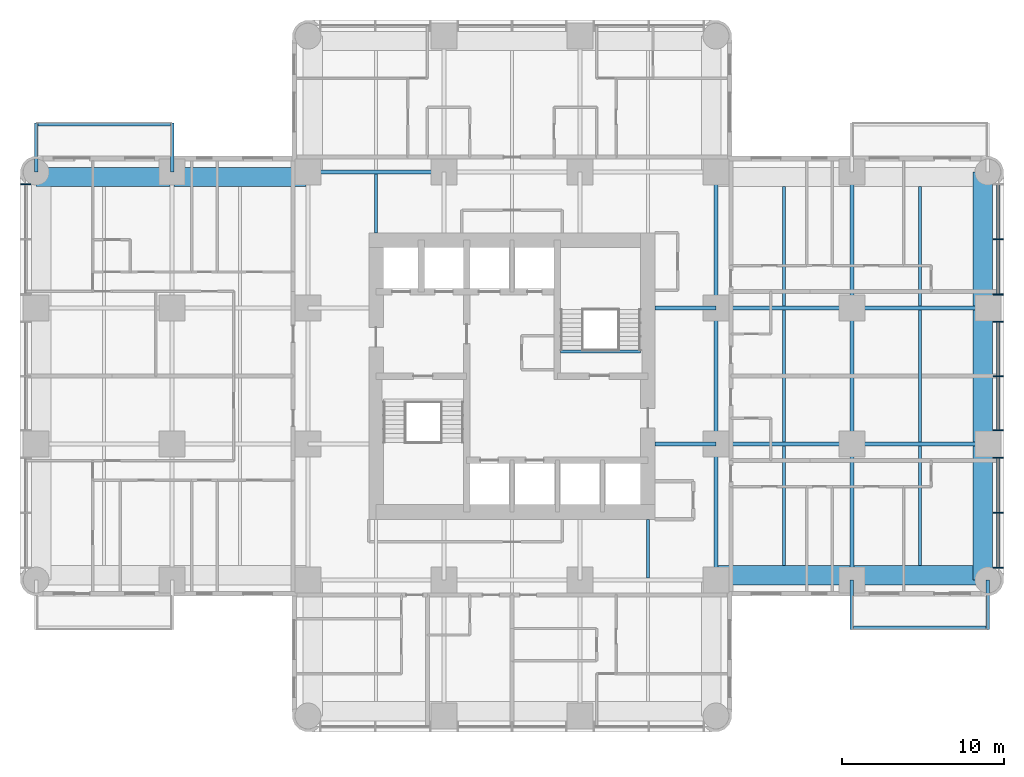
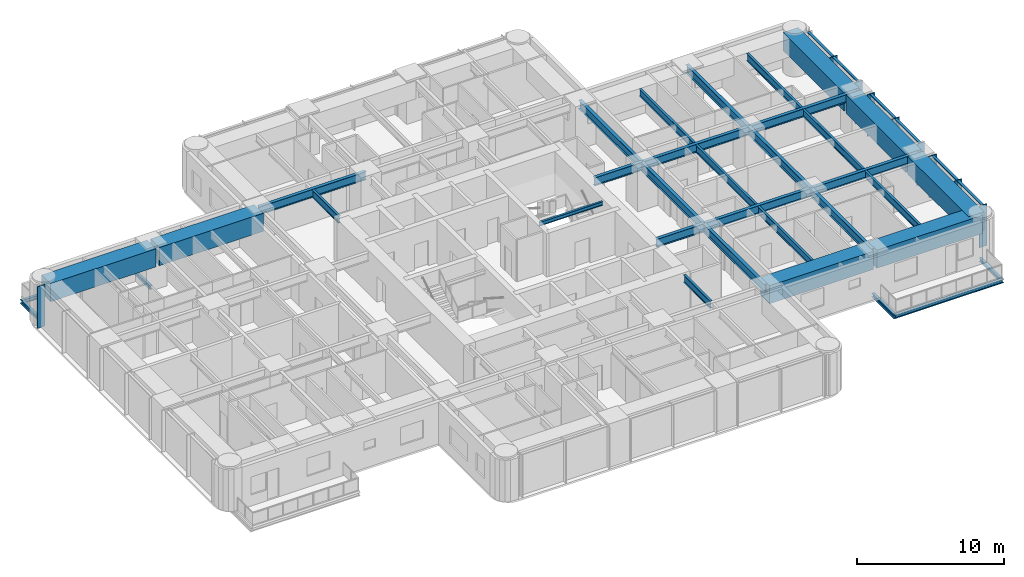
# One storey, part 3 of 14: 35 beams, 15 members, 2 elements without a shape of their own.
"""IFC4 building model written with IfcOpenShell, lengths in metres."""

from ifc_helpers import new_model, si_unit, direction, frame, origin, origin_2d, place, context, subcontext, project, spatial, rectangle, i_section, extrude, material, material_profile, profile_set, type_object, element, aggregate, save


model = new_model("IFC4")

# Units and contexts
model_context = context("Model", 3, precision=1e-05, world=origin(), true_north=direction((0.0, 1.0)))
body_context = subcontext(model_context, "Body", "Model", "MODEL_VIEW")
ifc_project = project(units=[si_unit("LENGTHUNIT", "METRE"), si_unit("AREAUNIT", "SQUARE_METRE"), si_unit("VOLUMEUNIT", "CUBIC_METRE"), si_unit("PLANEANGLEUNIT", "RADIAN"), si_unit("MASSUNIT", "GRAM", prefix="KILO")], contexts=[model_context])

# Site, building, storey
site_placement = place(None, origin())
site = spatial("IfcSite", under=ifc_project, at=site_placement, CompositionType="ELEMENT")
building_placement = place(site_placement, origin())
building = spatial("IfcBuilding", under=site, at=building_placement, Name="Torre Alcanfor", CompositionType="ELEMENT")
storey_placement = place(building_placement, frame((0.0, 0.0, 166.5)))
storey = spatial("IfcBuildingStorey", under=building, at=storey_placement, Name="L43", CompositionType="ELEMENT", Elevation=166.5)

# Beams
ifc_material_1 = material(Name="Steel ASTM A992 Grade 50", Category="steel")
ifc_material_profile_1 = material_profile(ifc_material_1, i_section(OverallWidth=0.205322265625, OverallDepth=0.309814453125, WebThickness=0.00927734375, FlangeThickness=0.016357421875, at=origin_2d()), Name="W12x50")
ifc_profile_set_1 = profile_set([ifc_material_profile_1], Name="Steel ASTM A992 Grade 50")
beam_type_1 = type_object("IfcBeamType", Name="Balcony cantilever beam W12x50", PredefinedType="BEAM", material=ifc_profile_set_1)
for number, where, z_axis, x_axis, name in (
    (1, (50.39990234375, 16.800048828125, -0.35498046875), (0.0, -1.0, 0.0), (1.0, 0.0, 0.0), "Balcony cantilever beam L43-E2 1"),
    (2, (58.800048828125, 16.800048828125, -0.35498046875), (0.0, -1.0, 0.0), (1.0, 0.0, 0.0), "Balcony cantilever beam L43-E2 2"),
    (3, (8.39990234375, 42.0, -0.35498046875), (0.0, 1.0, 0.0), (-1.0, 0.0, 0.0), "Balcony cantilever beam L43-W2 1"),
    (4, (0.0, 42.0, -0.35498046875), (0.0, 1.0, 0.0), (-1.0, 0.0, 0.0), "Balcony cantilever beam L43-W2 2"),
):
    element("IfcBeam", number, at=place(storey_placement, frame(where, z_axis=z_axis, x_axis=x_axis)), inside=storey, type_object=beam_type_1, Name=name, PredefinedType="BEAM", context=body_context, shape_type="SweptSolid", body=[
        extrude(i_section(OverallWidth=0.205322265625, OverallDepth=0.309814453125, WebThickness=0.00927734375, FlangeThickness=0.016357421875, at=origin_2d()), origin(), (0.0, 0.0, 1.0), 3.050048828125),
    ])
ifc_material_2 = material(Name="Steel ASTM A992 Grade 50", Category="steel")
ifc_material_profile_2 = material_profile(ifc_material_2, i_section(OverallWidth=0.203369140625, OverallDepth=0.30224609375, WebThickness=0.007568359375, FlangeThickness=0.01318359375, at=origin_2d()), Name="W12x40")
ifc_profile_set_2 = profile_set([ifc_material_profile_2], Name="Steel ASTM A992 Grade 50")
beam_type_2 = type_object("IfcBeamType", Name="Balcony edge trimmer W12x40", PredefinedType="BEAM", material=ifc_profile_set_2)
beam_1_placement = place(storey_placement, frame((50.39990234375, 13.851806640625, -0.35107421875), z_axis=(1.0, 0.0, 0.0), x_axis=(0.0, 1.0, 0.0)))
element("IfcBeam", 5, at=beam_1_placement, inside=storey, type_object=beam_type_2, Name="Balcony edge trimmer L43-E2", PredefinedType="BEAM", context=body_context, shape_type="SweptSolid", body=[
    extrude(i_section(OverallWidth=0.203369140625, OverallDepth=0.30224609375, WebThickness=0.007568359375, FlangeThickness=0.01318359375, at=origin_2d()), origin(), (0.0, 0.0, 1.0), 8.400146484375),
])
beam_2_placement = place(storey_placement, frame((8.39990234375, 44.9482421875, -0.35107421875), z_axis=(-1.0, 0.0, 0.0), x_axis=(0.0, -1.0, 0.0)))
element("IfcBeam", 6, at=beam_2_placement, inside=storey, type_object=beam_type_2, Name="Balcony edge trimmer L43-W2", PredefinedType="BEAM", context=body_context, shape_type="SweptSolid", body=[
    extrude(i_section(OverallWidth=0.203369140625, OverallDepth=0.30224609375, WebThickness=0.007568359375, FlangeThickness=0.01318359375, at=origin_2d()), origin(), (0.0, 0.0, 1.0), 8.39990234375),
])

# Curtain wall, member
ifc_material_3 = material(Name="Aluminium and glass", Category="aluminium")
curtain_wall_type = type_object("IfcCurtainWallType", Name="CW-A unitised apartment glazing with vertical FIN", PredefinedType="NOTDEFINED", material=ifc_material_3)
curtain_wall_1_placement = place(storey_placement, origin())
curtain_wall_1 = element("IfcCurtainWall", 7, at=curtain_wall_1_placement, inside=storey, type_object=curtain_wall_type, Name="Curtain wall CW-A L43 2", PredefinedType="NOTDEFINED")
ifc_material_4 = material(Name="Bronze anodised aluminium", Category="aluminium")
ifc_material_profile_3 = material_profile(ifc_material_4, rectangle(XDim=0.60009765625, YDim=0.06494140625, at=origin_2d()), Name="CW-A mullion 65x600")
ifc_profile_set_3 = profile_set([ifc_material_profile_3], Name="Bronze anodised aluminium")
member_type_1 = type_object("IfcMemberType", Name="CW-A mullion with vertical FIN 65x600", PredefinedType="MULLION", material=ifc_profile_set_3)
member_1_placement = place(storey_placement, frame((-0.64990234375, 41.24267578125, 0.0), z_axis=(0.0, 0.0, 1.0), x_axis=(1.0, 0.0, 0.0)))
member_1 = element("IfcMember", 8, at=member_1_placement, type_object=member_type_1, Name="CW-A mullion 1.1", PredefinedType="MULLION", context=body_context, shape_type="SweptSolid", body=[
    extrude(rectangle(XDim=0.60009765625, YDim=0.06494140625, at=origin_2d()), origin(), (0.0, 0.0, 1.0), 3.449951171875),
])
aggregate(curtain_wall_1, [member_1])

# Curtain wall, members
curtain_wall_2_placement = place(storey_placement, origin())
curtain_wall_2 = element("IfcCurtainWall", 9, at=curtain_wall_2_placement, inside=storey, type_object=curtain_wall_type, Name="Curtain wall CW-A L43 8", PredefinedType="NOTDEFINED")
member_2_placement = place(storey_placement, frame((59.449951171875, 17.557373046875, 0.0), z_axis=(0.0, 0.0, 1.0), x_axis=(-1.0, 0.0, 0.0)))
member_2 = element("IfcMember", 10, at=member_2_placement, type_object=member_type_1, Name="CW-A mullion 1.1", PredefinedType="MULLION", context=body_context, shape_type="SweptSolid", body=[
    extrude(rectangle(XDim=0.60009765625, YDim=0.06494140625, at=origin_2d()), origin(), (0.0, 0.0, 1.0), 3.449951171875),
])
member_3_placement = place(storey_placement, frame((59.449951171875, 20.9599609375, 0.0), z_axis=(0.0, 0.0, 1.0), x_axis=(-1.0, 0.0, 0.0)))
member_3 = element("IfcMember", 11, at=member_3_placement, type_object=member_type_1, Name="CW-A mullion 1.2", PredefinedType="MULLION", context=body_context, shape_type="SweptSolid", body=[
    extrude(rectangle(XDim=0.60009765625, YDim=0.06494140625, at=origin_2d()), origin(), (0.0, 0.0, 1.0), 3.449951171875),
])
member_4_placement = place(storey_placement, frame((59.449951171875, 24.362548828125, 0.0), z_axis=(0.0, 0.0, 1.0), x_axis=(-1.0, 0.0, 0.0)))
member_4 = element("IfcMember", 12, at=member_4_placement, type_object=member_type_1, Name="CW-A mullion 1.3", PredefinedType="MULLION", context=body_context, shape_type="SweptSolid", body=[
    extrude(rectangle(XDim=0.60009765625, YDim=0.06494140625, at=origin_2d()), origin(), (0.0, 0.0, 1.0), 3.449951171875),
])
member_5_placement = place(storey_placement, frame((59.449951171875, 26.03759765625, 0.0), z_axis=(0.0, 0.0, 1.0), x_axis=(-1.0, 0.0, 0.0)))
member_5 = element("IfcMember", 13, at=member_5_placement, type_object=member_type_1, Name="CW-A mullion 2.1", PredefinedType="MULLION", context=body_context, shape_type="SweptSolid", body=[
    extrude(rectangle(XDim=0.60009765625, YDim=0.06494140625, at=origin_2d()), origin(), (0.0, 0.0, 1.0), 3.449951171875),
])
member_6_placement = place(storey_placement, frame((59.449951171875, 29.39990234375, 0.0), z_axis=(0.0, 0.0, 1.0), x_axis=(-1.0, 0.0, 0.0)))
member_6 = element("IfcMember", 14, at=member_6_placement, type_object=member_type_1, Name="CW-A mullion 2.2", PredefinedType="MULLION", context=body_context, shape_type="SweptSolid", body=[
    extrude(rectangle(XDim=0.60009765625, YDim=0.06494140625, at=origin_2d()), origin(), (0.0, 0.0, 1.0), 3.449951171875),
])
member_7_placement = place(storey_placement, frame((59.449951171875, 32.762451171875, 0.0), z_axis=(0.0, 0.0, 1.0), x_axis=(-1.0, 0.0, 0.0)))
member_7 = element("IfcMember", 15, at=member_7_placement, type_object=member_type_1, Name="CW-A mullion 2.3", PredefinedType="MULLION", context=body_context, shape_type="SweptSolid", body=[
    extrude(rectangle(XDim=0.60009765625, YDim=0.06494140625, at=origin_2d()), origin(), (0.0, 0.0, 1.0), 3.449951171875),
])
member_8_placement = place(storey_placement, frame((59.449951171875, 34.4375, 0.0), z_axis=(0.0, 0.0, 1.0), x_axis=(-1.0, 0.0, 0.0)))
member_8 = element("IfcMember", 16, at=member_8_placement, type_object=member_type_1, Name="CW-A mullion 3.1", PredefinedType="MULLION", context=body_context, shape_type="SweptSolid", body=[
    extrude(rectangle(XDim=0.60009765625, YDim=0.06494140625, at=origin_2d()), origin(), (0.0, 0.0, 1.0), 3.449951171875),
])
member_9_placement = place(storey_placement, frame((59.449951171875, 37.840087890625, 0.0), z_axis=(0.0, 0.0, 1.0), x_axis=(-1.0, 0.0, 0.0)))
member_9 = element("IfcMember", 17, at=member_9_placement, type_object=member_type_1, Name="CW-A mullion 3.2", PredefinedType="MULLION", context=body_context, shape_type="SweptSolid", body=[
    extrude(rectangle(XDim=0.60009765625, YDim=0.06494140625, at=origin_2d()), origin(), (0.0, 0.0, 1.0), 3.449951171875),
])
ifc_material_5 = material(Name="Extruded aluminium", Category="aluminium")
ifc_material_profile_4 = material_profile(ifc_material_5, rectangle(XDim=0.199951171875, YDim=0.06494140625, at=origin_2d()), Name="CW-A transom 200x65")
ifc_profile_set_4 = profile_set([ifc_material_profile_4], Name="Extruded aluminium")
member_type_2 = type_object("IfcMemberType", Name="CW-A transom 65x200", PredefinedType="USERDEFINED", material=ifc_profile_set_4)
member_10_placement = place(storey_placement, frame((59.449951171875, 17.58984375, 3.41748046875), z_axis=(0.0, 1.0, 0.0), x_axis=(-1.0, 0.0, 0.0)))
member_10 = element("IfcMember", 18, at=member_10_placement, type_object=member_type_2, Name="CW-A transom 1.1.2", ObjectType="TRANSOM", PredefinedType="USERDEFINED", context=body_context, shape_type="SweptSolid", body=[
    extrude(rectangle(XDim=0.199951171875, YDim=0.06494140625, at=origin_2d()), origin(), (0.0, 0.0, 1.0), 3.337646484375),
])
member_11_placement = place(storey_placement, frame((59.449951171875, 20.992431640625, 3.41748046875), z_axis=(0.0, 1.0, 0.0), x_axis=(-1.0, 0.0, 0.0)))
member_11 = element("IfcMember", 19, at=member_11_placement, type_object=member_type_2, Name="CW-A transom 1.2.2", ObjectType="TRANSOM", PredefinedType="USERDEFINED", context=body_context, shape_type="SweptSolid", body=[
    extrude(rectangle(XDim=0.199951171875, YDim=0.06494140625, at=origin_2d()), origin(), (0.0, 0.0, 1.0), 3.337646484375),
])
member_12_placement = place(storey_placement, frame((59.449951171875, 26.070068359375, 3.41748046875), z_axis=(0.0, 1.0, 0.0), x_axis=(-1.0, 0.0, 0.0)))
member_12 = element("IfcMember", 20, at=member_12_placement, type_object=member_type_2, Name="CW-A transom 2.1.2", ObjectType="TRANSOM", PredefinedType="USERDEFINED", context=body_context, shape_type="SweptSolid", body=[
    extrude(rectangle(XDim=0.199951171875, YDim=0.06494140625, at=origin_2d()), origin(), (0.0, 0.0, 1.0), 3.29736328125),
])
member_13_placement = place(storey_placement, frame((59.449951171875, 29.4326171875, 3.41748046875), z_axis=(0.0, 1.0, 0.0), x_axis=(-1.0, 0.0, 0.0)))
member_13 = element("IfcMember", 21, at=member_13_placement, type_object=member_type_2, Name="CW-A transom 2.2.2", ObjectType="TRANSOM", PredefinedType="USERDEFINED", context=body_context, shape_type="SweptSolid", body=[
    extrude(rectangle(XDim=0.199951171875, YDim=0.06494140625, at=origin_2d()), origin(), (0.0, 0.0, 1.0), 3.29736328125),
])
member_14_placement = place(storey_placement, frame((59.449951171875, 34.469970703125, 3.41748046875), z_axis=(0.0, 1.0, 0.0), x_axis=(-1.0, 0.0, 0.0)))
member_14 = element("IfcMember", 22, at=member_14_placement, type_object=member_type_2, Name="CW-A transom 3.1.2", ObjectType="TRANSOM", PredefinedType="USERDEFINED", context=body_context, shape_type="SweptSolid", body=[
    extrude(rectangle(XDim=0.199951171875, YDim=0.06494140625, at=origin_2d()), origin(), (0.0, 0.0, 1.0), 3.337646484375),
])
member_15_placement = place(storey_placement, frame((59.449951171875, 37.87255859375, 3.41748046875), z_axis=(0.0, 1.0, 0.0), x_axis=(-1.0, 0.0, 0.0)))
member_15 = element("IfcMember", 23, at=member_15_placement, type_object=member_type_2, Name="CW-A transom 3.2.2", ObjectType="TRANSOM", PredefinedType="USERDEFINED", context=body_context, shape_type="SweptSolid", body=[
    extrude(rectangle(XDim=0.199951171875, YDim=0.06494140625, at=origin_2d()), origin(), (0.0, 0.0, 1.0), 3.337646484375),
])
aggregate(curtain_wall_2, [member_2, member_3, member_4, member_10, member_11, member_5, member_6, member_7, member_12, member_13, member_8, member_9, member_14, member_15])

# Beams
ifc_material_6 = material(Name="Steel ASTM A992 Grade 50", Category="steel")
ifc_material_profile_5 = material_profile(ifc_material_6, i_section(OverallWidth=0.25390625, OverallDepth=0.683349609375, WebThickness=0.012451171875, FlangeThickness=0.01904296875, at=origin_2d()), Name="W27x94")
ifc_profile_set_5 = profile_set([ifc_material_profile_5], Name="Steel ASTM A992 Grade 50")
beam_type_3 = type_object("IfcBeamType", Name="Girder W27x94", PredefinedType="BEAM", material=ifc_profile_set_5)
beam_3_placement = place(storey_placement, frame((42.0, 25.199951171875, 3.1083984375), z_axis=(1.0, 0.0, 0.0), x_axis=(0.0, 1.0, 0.0)))
element("IfcBeam", 24, at=beam_3_placement, inside=storey, type_object=beam_type_3, Name="Beam 6F-7F under L44", PredefinedType="BEAM", context=body_context, shape_type="SweptSolid", body=[
    extrude(i_section(OverallWidth=0.25390625, OverallDepth=0.683349609375, WebThickness=0.012451171875, FlangeThickness=0.01904296875, at=origin_2d()), origin(), (0.0, 0.0, 1.0), 8.39990234375),
])
beam_4_placement = place(storey_placement, frame((50.39990234375, 25.199951171875, 3.1083984375), z_axis=(1.0, 0.0, 0.0), x_axis=(0.0, 1.0, 0.0)))
element("IfcBeam", 25, at=beam_4_placement, inside=storey, type_object=beam_type_3, Name="Beam 7F-8F under L44", PredefinedType="BEAM", context=body_context, shape_type="SweptSolid", body=[
    extrude(i_section(OverallWidth=0.25390625, OverallDepth=0.683349609375, WebThickness=0.012451171875, FlangeThickness=0.01904296875, at=origin_2d()), origin(), (0.0, 0.0, 1.0), 8.400146484375),
])
beam_5_placement = place(storey_placement, frame((42.0, 33.60009765625, 3.1083984375), z_axis=(1.0, 0.0, 0.0), x_axis=(0.0, 1.0, 0.0)))
element("IfcBeam", 26, at=beam_5_placement, inside=storey, type_object=beam_type_3, Name="Beam 6G-7G under L44", PredefinedType="BEAM", context=body_context, shape_type="SweptSolid", body=[
    extrude(i_section(OverallWidth=0.25390625, OverallDepth=0.683349609375, WebThickness=0.012451171875, FlangeThickness=0.01904296875, at=origin_2d()), origin(), (0.0, 0.0, 1.0), 8.39990234375),
])
beam_6_placement = place(storey_placement, frame((50.39990234375, 33.60009765625, 3.1083984375), z_axis=(1.0, 0.0, 0.0), x_axis=(0.0, 1.0, 0.0)))
element("IfcBeam", 27, at=beam_6_placement, inside=storey, type_object=beam_type_3, Name="Beam 7G-8G under L44", PredefinedType="BEAM", context=body_context, shape_type="SweptSolid", body=[
    extrude(i_section(OverallWidth=0.25390625, OverallDepth=0.683349609375, WebThickness=0.012451171875, FlangeThickness=0.01904296875, at=origin_2d()), origin(), (0.0, 0.0, 1.0), 8.400146484375),
])
for number, where, z_axis, x_axis, name in (
    (28, (16.800048828125, 42.0, 3.1083984375), (1.0, 0.0, 0.0), (0.0, 1.0, 0.0), "Beam 3H-4H under L44"),
    (29, (42.0, 16.800048828125, 3.1083984375), (0.0, 1.0, 0.0), (-1.0, 0.0, 0.0), "Beam 6E-6F under L44"),
):
    element("IfcBeam", number, at=place(storey_placement, frame(where, z_axis=z_axis, x_axis=x_axis)), inside=storey, type_object=beam_type_3, Name=name, PredefinedType="BEAM", context=body_context, shape_type="SweptSolid", body=[
        extrude(i_section(OverallWidth=0.25390625, OverallDepth=0.683349609375, WebThickness=0.012451171875, FlangeThickness=0.01904296875, at=origin_2d()), origin(), (0.0, 0.0, 1.0), 8.39990234375),
    ])
beam_7_placement = place(storey_placement, frame((42.0, 25.199951171875, 3.1083984375), z_axis=(0.0, 1.0, 0.0), x_axis=(-1.0, 0.0, 0.0)))
element("IfcBeam", 30, at=beam_7_placement, inside=storey, type_object=beam_type_3, Name="Beam 6F-6G under L44", PredefinedType="BEAM", context=body_context, shape_type="SweptSolid", body=[
    extrude(i_section(OverallWidth=0.25390625, OverallDepth=0.683349609375, WebThickness=0.012451171875, FlangeThickness=0.01904296875, at=origin_2d()), origin(), (0.0, 0.0, 1.0), 8.400146484375),
])
for number, where, z_axis, x_axis, name in (
    (31, (42.0, 33.60009765625, 3.1083984375), (0.0, 1.0, 0.0), (-1.0, 0.0, 0.0), "Beam 6G-6H under L44"),
    (32, (50.39990234375, 16.800048828125, 3.1083984375), (0.0, 1.0, 0.0), (-1.0, 0.0, 0.0), "Beam 7E-7F under L44"),
):
    element("IfcBeam", number, at=place(storey_placement, frame(where, z_axis=z_axis, x_axis=x_axis)), inside=storey, type_object=beam_type_3, Name=name, PredefinedType="BEAM", context=body_context, shape_type="SweptSolid", body=[
        extrude(i_section(OverallWidth=0.25390625, OverallDepth=0.683349609375, WebThickness=0.012451171875, FlangeThickness=0.01904296875, at=origin_2d()), origin(), (0.0, 0.0, 1.0), 8.39990234375),
    ])
beam_8_placement = place(storey_placement, frame((50.39990234375, 25.199951171875, 3.1083984375), z_axis=(0.0, 1.0, 0.0), x_axis=(-1.0, 0.0, 0.0)))
element("IfcBeam", 33, at=beam_8_placement, inside=storey, type_object=beam_type_3, Name="Beam 7F-7G under L44", PredefinedType="BEAM", context=body_context, shape_type="SweptSolid", body=[
    extrude(i_section(OverallWidth=0.25390625, OverallDepth=0.683349609375, WebThickness=0.012451171875, FlangeThickness=0.01904296875, at=origin_2d()), origin(), (0.0, 0.0, 1.0), 8.400146484375),
])
beam_9_placement = place(storey_placement, frame((50.39990234375, 33.60009765625, 3.1083984375), z_axis=(0.0, 1.0, 0.0), x_axis=(-1.0, 0.0, 0.0)))
element("IfcBeam", 34, at=beam_9_placement, inside=storey, type_object=beam_type_3, Name="Beam 7G-7H under L44", PredefinedType="BEAM", context=body_context, shape_type="SweptSolid", body=[
    extrude(i_section(OverallWidth=0.25390625, OverallDepth=0.683349609375, WebThickness=0.012451171875, FlangeThickness=0.01904296875, at=origin_2d()), origin(), (0.0, 0.0, 1.0), 8.39990234375),
])
ifc_material_7 = material(Name="Steel ASTM A992 Grade 50", Category="steel")
ifc_material_profile_6 = material_profile(ifc_material_7, i_section(OverallWidth=0.25390625, OverallDepth=0.683349609375, WebThickness=0.012451171875, FlangeThickness=0.01904296875, at=origin_2d()), Name="W27x94")
ifc_profile_set_6 = profile_set([ifc_material_profile_6], Name="Steel ASTM A992 Grade 50")
beam_type_4 = type_object("IfcBeamType", Name="Girder, part bay W27x94", PredefinedType="BEAM", material=ifc_profile_set_6)
for number, where, z_axis, x_axis, name in (
    (35, (42.0, 25.199951171875, 3.1083984375), (-1.0, 0.0, 0.0), (0.0, -1.0, 0.0), "Beam 6F-38_25F under L44"),
    (36, (42.0, 33.60009765625, 3.1083984375), (-1.0, 0.0, 0.0), (0.0, -1.0, 0.0), "Beam 6G-38_25G under L44"),
):
    element("IfcBeam", number, at=place(storey_placement, frame(where, z_axis=z_axis, x_axis=x_axis)), inside=storey, type_object=beam_type_4, Name=name, PredefinedType="BEAM", context=body_context, shape_type="SweptSolid", body=[
        extrude(i_section(OverallWidth=0.25390625, OverallDepth=0.683349609375, WebThickness=0.012451171875, FlangeThickness=0.01904296875, at=origin_2d()), origin(), (0.0, 0.0, 1.0), 3.75),
    ])
ifc_material_8 = material(Name="Concrete f'c 70 MPa", Category="concrete")
ifc_material_profile_7 = material_profile(ifc_material_8, rectangle(XDim=1.199951171875, YDim=1.5, at=origin_2d()), Name="1200x1500")
ifc_profile_set_7 = profile_set([ifc_material_profile_7], Name="Concrete f'c 70 MPa")
beam_type_5 = type_object("IfcBeamType", Name="RC perimeter beam 1200x1500", PredefinedType="BEAM", material=ifc_profile_set_7)
beam_10_placement = place(storey_placement, frame((42.126953125, 17.10009765625, 2.699951171875), z_axis=(1.0, 0.0, 0.0), x_axis=(0.0, 1.0, 0.0)))
element("IfcBeam", 37, at=beam_10_placement, inside=storey, type_object=beam_type_5, Name="Beam 6E-7E under L44", PredefinedType="BEAM", context=body_context, shape_type="SweptSolid", body=[
    extrude(rectangle(XDim=1.199951171875, YDim=1.5, at=origin_2d()), origin(), (0.0, 0.0, 1.0), 8.14599609375),
])
for number, where, z_axis, x_axis, name in (
    (38, (50.527099609375, 17.10009765625, 2.699951171875), (1.0, 0.0, 0.0), (0.0, 1.0, 0.0), "Beam 7E-8E under L44"),
    (39, (0.0, 41.699951171875, 2.699951171875), (1.0, 0.0, 0.0), (0.0, 1.0, 0.0), "Beam 1H-2H under L44"),
):
    element("IfcBeam", number, at=place(storey_placement, frame(where, z_axis=z_axis, x_axis=x_axis)), inside=storey, type_object=beam_type_5, Name=name, PredefinedType="BEAM", context=body_context, shape_type="SweptSolid", body=[
        extrude(rectangle(XDim=1.199951171875, YDim=1.5, at=origin_2d()), origin(), (0.0, 0.0, 1.0), 8.27294921875),
    ])
beam_11_placement = place(storey_placement, frame((8.527099609375, 41.699951171875, 2.699951171875), z_axis=(1.0, 0.0, 0.0), x_axis=(0.0, 1.0, 0.0)))
element("IfcBeam", 40, at=beam_11_placement, inside=storey, type_object=beam_type_5, Name="Beam 2H-3H under L44", PredefinedType="BEAM", context=body_context, shape_type="SweptSolid", body=[
    extrude(rectangle(XDim=1.199951171875, YDim=1.5, at=origin_2d()), origin(), (0.0, 0.0, 1.0), 8.14599609375),
])
beam_12_placement = place(storey_placement, frame((58.5, 16.800048828125, 2.699951171875), z_axis=(0.0, 1.0, 0.0), x_axis=(-1.0, 0.0, 0.0)))
element("IfcBeam", 41, at=beam_12_placement, inside=storey, type_object=beam_type_5, Name="Beam 8E-8F under L44", PredefinedType="BEAM", context=body_context, shape_type="SweptSolid", body=[
    extrude(rectangle(XDim=1.199951171875, YDim=1.5, at=origin_2d()), origin(), (0.0, 0.0, 1.0), 8.27294921875),
])
beam_13_placement = place(storey_placement, frame((58.5, 25.326904296875, 2.699951171875), z_axis=(0.0, 1.0, 0.0), x_axis=(-1.0, 0.0, 0.0)))
element("IfcBeam", 42, at=beam_13_placement, inside=storey, type_object=beam_type_5, Name="Beam 8F-8G under L44", PredefinedType="BEAM", context=body_context, shape_type="SweptSolid", body=[
    extrude(rectangle(XDim=1.199951171875, YDim=1.5, at=origin_2d()), origin(), (0.0, 0.0, 1.0), 8.14599609375),
])
beam_14_placement = place(storey_placement, frame((58.5, 33.72705078125, 2.699951171875), z_axis=(0.0, 1.0, 0.0), x_axis=(-1.0, 0.0, 0.0)))
element("IfcBeam", 43, at=beam_14_placement, inside=storey, type_object=beam_type_5, Name="Beam 8G-8H under L44", PredefinedType="BEAM", context=body_context, shape_type="SweptSolid", body=[
    extrude(rectangle(XDim=1.199951171875, YDim=1.5, at=origin_2d()), origin(), (0.0, 0.0, 1.0), 8.27294921875),
])
ifc_material_9 = material(Name="Steel ASTM A992 Grade 50", Category="steel")
ifc_material_profile_8 = material_profile(ifc_material_9, i_section(OverallWidth=0.1787109375, OverallDepth=0.60205078125, WebThickness=0.010986328125, FlangeThickness=0.014892578125, at=origin_2d()), Name="W24x62")
ifc_profile_set_8 = profile_set([ifc_material_profile_8], Name="Steel ASTM A992 Grade 50")
beam_type_6 = type_object("IfcBeamType", Name="Secondary beam W24x62", PredefinedType="BEAM", material=ifc_profile_set_8)
beam_15_placement = place(storey_placement, frame((46.199951171875, 17.699951171875, 3.14892578125), z_axis=(0.0, 1.0, 0.0), x_axis=(-1.0, 0.0, 0.0)))
element("IfcBeam", 44, at=beam_15_placement, inside=storey, type_object=beam_type_6, Name="Beam 46_2E-46_2F under L44", PredefinedType="BEAM", context=body_context, shape_type="SweptSolid", body=[
    extrude(i_section(OverallWidth=0.1787109375, OverallDepth=0.60205078125, WebThickness=0.010986328125, FlangeThickness=0.014892578125, at=origin_2d()), origin(), (0.0, 0.0, 1.0), 7.373046875),
])
beam_16_placement = place(storey_placement, frame((46.199951171875, 25.326904296875, 3.14892578125), z_axis=(0.0, 1.0, 0.0), x_axis=(-1.0, 0.0, 0.0)))
element("IfcBeam", 45, at=beam_16_placement, inside=storey, type_object=beam_type_6, Name="Beam 46_2F-46_2G under L44", PredefinedType="BEAM", context=body_context, shape_type="SweptSolid", body=[
    extrude(i_section(OverallWidth=0.1787109375, OverallDepth=0.60205078125, WebThickness=0.010986328125, FlangeThickness=0.014892578125, at=origin_2d()), origin(), (0.0, 0.0, 1.0), 8.14599609375),
])
for number, where, z_axis, x_axis, name in (
    (46, (46.199951171875, 33.72705078125, 3.14892578125), (0.0, 1.0, 0.0), (-1.0, 0.0, 0.0), "Beam 46_2G-46_2H under L44"),
    (47, (54.60009765625, 17.699951171875, 3.14892578125), (0.0, 1.0, 0.0), (-1.0, 0.0, 0.0), "Beam 54_6E-54_6F under L44"),
):
    element("IfcBeam", number, at=place(storey_placement, frame(where, z_axis=z_axis, x_axis=x_axis)), inside=storey, type_object=beam_type_6, Name=name, PredefinedType="BEAM", context=body_context, shape_type="SweptSolid", body=[
        extrude(i_section(OverallWidth=0.1787109375, OverallDepth=0.60205078125, WebThickness=0.010986328125, FlangeThickness=0.014892578125, at=origin_2d()), origin(), (0.0, 0.0, 1.0), 7.373046875),
    ])
beam_17_placement = place(storey_placement, frame((54.60009765625, 25.326904296875, 3.14892578125), z_axis=(0.0, 1.0, 0.0), x_axis=(-1.0, 0.0, 0.0)))
element("IfcBeam", 48, at=beam_17_placement, inside=storey, type_object=beam_type_6, Name="Beam 54_6F-54_6G under L44", PredefinedType="BEAM", context=body_context, shape_type="SweptSolid", body=[
    extrude(i_section(OverallWidth=0.1787109375, OverallDepth=0.60205078125, WebThickness=0.010986328125, FlangeThickness=0.014892578125, at=origin_2d()), origin(), (0.0, 0.0, 1.0), 8.14599609375),
])
beam_18_placement = place(storey_placement, frame((54.60009765625, 33.72705078125, 3.14892578125), z_axis=(0.0, 1.0, 0.0), x_axis=(-1.0, 0.0, 0.0)))
element("IfcBeam", 49, at=beam_18_placement, inside=storey, type_object=beam_type_6, Name="Beam 54_6G-54_6H under L44", PredefinedType="BEAM", context=body_context, shape_type="SweptSolid", body=[
    extrude(i_section(OverallWidth=0.1787109375, OverallDepth=0.60205078125, WebThickness=0.010986328125, FlangeThickness=0.014892578125, at=origin_2d()), origin(), (0.0, 0.0, 1.0), 7.373046875),
])
ifc_material_10 = material(Name="Steel ASTM A992 Grade 50", Category="steel")
ifc_material_profile_9 = material_profile(ifc_material_10, i_section(OverallWidth=0.1787109375, OverallDepth=0.60205078125, WebThickness=0.010986328125, FlangeThickness=0.014892578125, at=origin_2d()), Name="W24x62")
ifc_profile_set_9 = profile_set([ifc_material_profile_9], Name="Steel ASTM A992 Grade 50")
beam_type_7 = type_object("IfcBeamType", Name="Secondary beam, part bay W24x62", PredefinedType="BEAM", material=ifc_profile_set_9)
for number, where, z_axis, x_axis, name in (
    (50, (21.0, 38.25, 3.14892578125), (0.0, 1.0, 0.0), (-1.0, 0.0, 0.0), "Beam 2138_25-21H under L44"),
    (51, (37.800048828125, 16.927001953125, 3.14892578125), (0.0, 1.0, 0.0), (-1.0, 0.0, 0.0), "Beam 37_8E-37_820_55 under L44"),
):
    element("IfcBeam", number, at=place(storey_placement, frame(where, z_axis=z_axis, x_axis=x_axis)), inside=storey, type_object=beam_type_7, Name=name, PredefinedType="BEAM", context=body_context, shape_type="SweptSolid", body=[
        extrude(i_section(OverallWidth=0.1787109375, OverallDepth=0.60205078125, WebThickness=0.010986328125, FlangeThickness=0.014892578125, at=origin_2d()), origin(), (0.0, 0.0, 1.0), 3.623046875),
    ])
ifc_material_11 = material(Name="Steel ASTM A992 Grade 50", Category="steel")
ifc_material_profile_10 = material_profile(ifc_material_11, i_section(OverallWidth=0.164794921875, OverallDepth=0.309814453125, WebThickness=0.005859375, FlangeThickness=0.009765625, at=origin_2d()), Name="W12x26")
ifc_profile_set_10 = profile_set([ifc_material_profile_10], Name="Steel ASTM A992 Grade 50")
beam_type_8 = type_object("IfcBeamType", Name="Stair landing beam W12x26", PredefinedType="BEAM", material=ifc_profile_set_10)
beam_19_placement = place(storey_placement, frame((32.39990234375, 30.91259765625, 3.2451171875), z_axis=(1.0, 0.0, 0.0), x_axis=(0.0, 1.0, 0.0)))
element("IfcBeam", 52, at=beam_19_placement, inside=storey, type_object=beam_type_8, Name="Landing trimmer S2 L44", PredefinedType="BEAM", context=body_context, shape_type="SweptSolid", body=[
    extrude(i_section(OverallWidth=0.164794921875, OverallDepth=0.309814453125, WebThickness=0.005859375, FlangeThickness=0.009765625, at=origin_2d()), origin(), (0.0, 0.0, 1.0), 4.9501953125),
])

save(model, "model.ifc")
